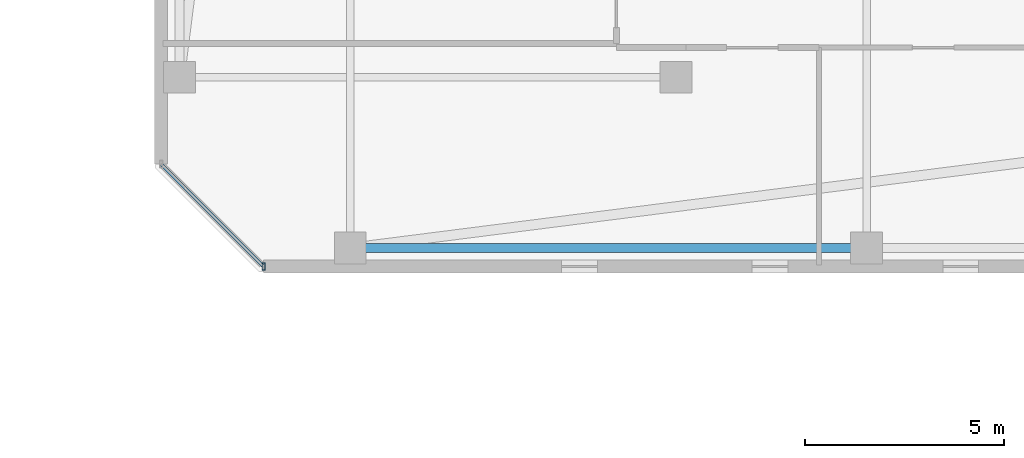
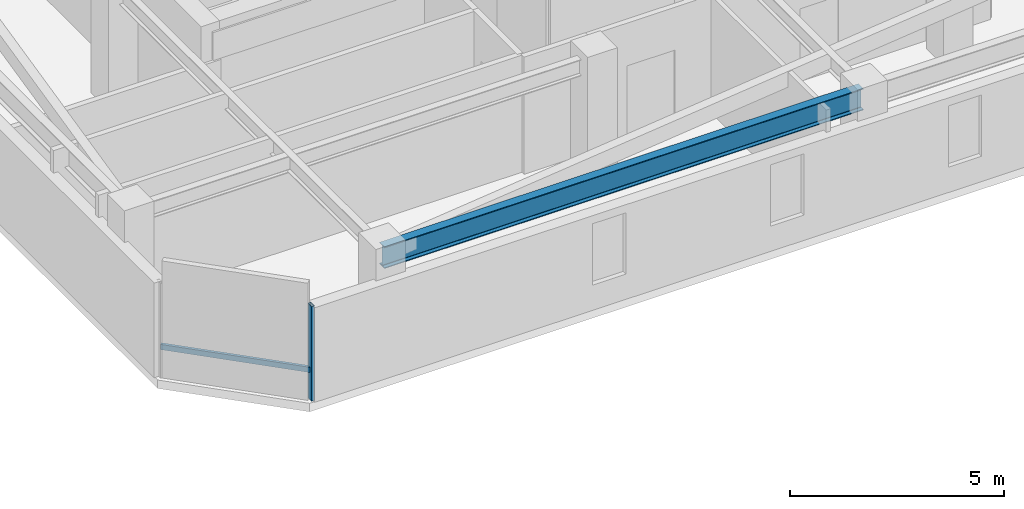
# One storey, part 14 of 35: 2 members, 1 beam, 1 element without a shape of its own.
"""IFC4 building model written with IfcOpenShell, lengths in metres."""

import ifcopenshell
import ifcopenshell.guid

model = None  # the IFC model being written
_history = None  # IfcOwnerHistory: only IFC2X3 demands one
_inside = {}  # id of a spatial element -> (the spatial element, [elements in it])
_under = {}  # id of a project, library or spatial element -> (it, [spatial elements below it])
_declared = {}  # id of a project -> (the project, [libraries it declares])
_typed = {}  # id of a type object -> (the type object, [elements of that type])
_made_of = {}  # id of a material, layer set ... -> (it, [elements and type objects made of it])


def new_model(schema):
    """Start an empty IFC model of exactly this schema.

    Asked for "IFC4X3", IfcOpenShell would pick the latest addendum, in which some entities
    have other attributes; the version numbers below select the first issue.
    IFC2X3 requires an IfcOwnerHistory on every rooted entity: one is made here for all.
    """
    global model, _history
    if schema == "IFC4X3":
        model = ifcopenshell.file(schema_version=(4, 3, 0, 0))
    else:
        model = ifcopenshell.file(schema=schema)
    _inside.clear()
    _under.clear()
    _declared.clear()
    _typed.clear()
    _made_of.clear()
    _history = None
    if model.schema == "IFC2X3":
        org = make("IfcOrganization", Name="unknown")
        user = make(
            "IfcPersonAndOrganization",
            ThePerson=make("IfcPerson", FamilyName="unknown"),
            TheOrganization=org,
        )
        app = make(
            "IfcApplication",
            ApplicationDeveloper=org,
            Version="unknown",
            ApplicationFullName="unknown",
            ApplicationIdentifier="unknown",
        )
        _history = make(
            "IfcOwnerHistory",
            OwningUser=user,
            OwningApplication=app,
            ChangeAction="ADDED",
            CreationDate=0,
        )
    return model


def make(cls, **values):
    """One entity of the class cls with the attributes given. An attribute that is None is left unset."""
    return model.create_entity(
        cls, **{name: value for name, value in values.items() if value is not None}
    )


def rooted(cls, **values):
    """An entity with a GlobalId (a new one), such as an element, a storey or a relation."""
    return make(cls, GlobalId=ifcopenshell.guid.new(), OwnerHistory=_history, **values)


def si_unit(unit_type, name, prefix=None):
    """IfcSIUnit, for example si_unit("LENGTHUNIT", "METRE", prefix="MILLI")."""
    return make("IfcSIUnit", UnitType=unit_type, Prefix=prefix, Name=name)


def assignment(units):
    """IfcUnitAssignment: the units of a project."""
    return None if units is None else make("IfcUnitAssignment", Units=units)


def point(xyz):
    """IfcCartesianPoint."""
    return None if xyz is None else make("IfcCartesianPoint", Coordinates=xyz)


def direction(xyz):
    """IfcDirection."""
    return None if xyz is None else make("IfcDirection", DirectionRatios=xyz)


def frame(location, z_axis=None, x_axis=None):
    """IfcAxis2Placement3D, a coordinate frame: its origin and axes. An axis left out is left unset."""
    return make(
        "IfcAxis2Placement3D",
        Location=point(location),
        Axis=direction(z_axis),
        RefDirection=direction(x_axis),
    )


def frame_2d(location, x_axis=None):
    """IfcAxis2Placement2D, a coordinate frame in the plane: its origin and x axis."""
    return make(
        "IfcAxis2Placement2D", Location=point(location), RefDirection=direction(x_axis)
    )


def origin():
    """The frame at (0, 0, 0) with its axes left unset."""
    return frame((0.0, 0.0, 0.0))


def origin_2d():
    """The frame at (0, 0) in the plane with its x axis left unset."""
    return frame_2d((0.0, 0.0))


def place(relative_to, where):
    """IfcLocalPlacement: puts the frame where relative to a parent placement (None: the world)."""
    return make(
        "IfcLocalPlacement", PlacementRelTo=relative_to, RelativePlacement=where
    )


def context(
    kind, dimensions, precision=None, world=None, true_north=None, identifier=None
):
    """IfcGeometricRepresentationContext, for example the 3D "Model" context."""
    return make(
        "IfcGeometricRepresentationContext",
        ContextIdentifier=identifier,
        ContextType=kind,
        CoordinateSpaceDimension=dimensions,
        Precision=precision,
        WorldCoordinateSystem=world,
        TrueNorth=true_north,
    )


def subcontext(parent, identifier, kind, view, scale=None):
    """IfcGeometricRepresentationSubContext, for example "Body" below "Model"."""
    return make(
        "IfcGeometricRepresentationSubContext",
        ContextIdentifier=identifier,
        ContextType=kind,
        ParentContext=parent,
        TargetScale=scale,
        TargetView=view,
    )


def project(units=None, contexts=None):
    """IfcProject with its units and contexts."""
    return rooted(
        "IfcProject",
        Name="project",
        RepresentationContexts=contexts,
        UnitsInContext=assignment(units),
    )


def spatial(cls, under=None, at=None, **own):
    """A site, building, storey or space (cls), placed at a placement, below another one or the project."""
    s = rooted(cls, ObjectPlacement=at, **own)
    if under is not None:
        _under.setdefault(under.id(), (under, []))[1].append(s)
    return s


def profile(cls, at=None, kind="AREA", **sizes):
    """A parametric profile (cls). Its sizes go by their IFC names, for example OverallWidth=200.0."""
    return make(cls, ProfileType=kind, Position=at, **sizes)


def hollow_rectangle(**sizes):
    """IfcRectangleHollowProfileDef."""
    return profile("IfcRectangleHollowProfileDef", **sizes)


def i_section(**sizes):
    """IfcIShapeProfileDef."""
    return profile("IfcIShapeProfileDef", **sizes)


def extrude(swept, where, along, depth):
    """IfcExtrudedAreaSolid: the profile swept, set in the frame where, extruded along a direction by depth."""
    return make(
        "IfcExtrudedAreaSolid",
        SweptArea=swept,
        Position=where,
        ExtrudedDirection=direction(along),
        Depth=depth,
    )


def shape(context_of_items, identifier, shape_type, items):
    """IfcShapeRepresentation: the items that make up one representation, for example the "Body"."""
    return make(
        "IfcShapeRepresentation",
        ContextOfItems=context_of_items,
        RepresentationIdentifier=identifier,
        RepresentationType=shape_type,
        Items=items,
    )


def material(Name=None, Category=None):
    """IfcMaterial."""
    return make("IfcMaterial", Name=Name, Category=Category)


def material_profile(
    of_material, cross_section, Name=None, Category=None, Priority=None
):
    """IfcMaterialProfile: a cross section and its material."""
    return make(
        "IfcMaterialProfile",
        Name=Name,
        Material=of_material,
        Profile=cross_section,
        Priority=Priority,
        Category=Category,
    )


def profile_set(profiles, Name=None, composite=None):
    """IfcMaterialProfileSet."""
    return make(
        "IfcMaterialProfileSet",
        Name=Name,
        MaterialProfiles=profiles,
        CompositeProfile=composite,
    )


def made_of(thing, what):
    """Note that an element or type object is made of a material, layer set ...; save() writes the relation."""
    if what is not None:
        _made_of.setdefault(what.id(), (what, []))[1].append(thing)
    return thing


def type_object(cls, material=None, **own):
    """A type object (cls), such as IfcWallType, which elements share."""
    return made_of(rooted(cls, **own), material)


def element(
    cls,
    number,
    at=None,
    inside=None,
    cuts=None,
    type_object=None,
    material=None,
    context=None,
    identifier="Body",
    shape_type=None,
    held_by="IfcProductDefinitionShape",
    body=None,
    shapes=None,
    **own,
):
    """One element of the class cls, such as IfcWall. Its Tag is "e" and its number.

    at: its placement. inside: the storey or other place that contains it. cuts: it is an
    opening in that element (IfcRelVoidsElement). A single representation is given by context,
    identifier, shape_type and body (its items); several are given by shapes. held_by: the class
    of the entity that holds the representations. save() writes the other relations.
    """
    e = rooted(cls, Tag="e%d" % number, ObjectPlacement=at, **own)
    if body is not None:
        shapes = [shape(context, identifier, shape_type, body)]
    if shapes is not None:
        e.Representation = make(held_by, Representations=shapes)
    if inside is not None:
        _inside.setdefault(inside.id(), (inside, []))[1].append(e)
    if cuts is not None:
        rooted(
            "IfcRelVoidsElement", RelatingBuildingElement=cuts, RelatedOpeningElement=e
        )
    if type_object is not None:
        _typed.setdefault(type_object.id(), (type_object, []))[1].append(e)
    return made_of(e, material)


def aggregate(whole, parts):
    """IfcRelAggregates: a whole, such as a stair, and the parts it consists of."""
    return rooted("IfcRelAggregates", RelatingObject=whole, RelatedObjects=parts)


def save(model, path):
    """Write the relations noted so far, then the file.

    IfcRelAggregates (storeys below a building ...), IfcRelContainedInSpatialStructure (elements
    in a storey), IfcRelDefinesByType, IfcRelAssociatesMaterial and IfcRelDeclares: one each for
    every whole, place, type object, material and project.
    """
    for whole, parts in _under.values():
        aggregate(whole, parts)
    for where, things in _inside.values():
        rooted(
            "IfcRelContainedInSpatialStructure",
            RelatedElements=things,
            RelatingStructure=where,
        )
    for kind, things in _typed.values():
        rooted("IfcRelDefinesByType", RelatedObjects=things, RelatingType=kind)
    for what, things in _made_of.values():
        rooted("IfcRelAssociatesMaterial", RelatedObjects=things, RelatingMaterial=what)
    for by, libraries in _declared.values():
        rooted("IfcRelDeclares", RelatingContext=by, RelatedDefinitions=libraries)
    model.write(path)


model = new_model("IFC4")

# Units and contexts
model_context = context("Model", 3, precision=1e-05, world=origin(), true_north=direction((0.0, 1.0)))
body_context = subcontext(model_context, "Body", "Model", "MODEL_VIEW")
ifc_project = project(units=[si_unit("LENGTHUNIT", "METRE"), si_unit("AREAUNIT", "SQUARE_METRE"), si_unit("VOLUMEUNIT", "CUBIC_METRE"), si_unit("PLANEANGLEUNIT", "RADIAN"), si_unit("MASSUNIT", "GRAM", prefix="KILO")], contexts=[model_context])

# Site, building, storey
site_placement = place(None, origin())
site = spatial("IfcSite", under=ifc_project, at=site_placement, CompositionType="ELEMENT")
building_placement = place(site_placement, origin())
building = spatial("IfcBuilding", under=site, at=building_placement, Name="Thornwick Lancets Civic Towers", CompositionType="ELEMENT")
storey_placement = place(building_placement, frame((0.0, 0.0, 265.5)))
storey = spatial("IfcBuildingStorey", under=building, at=storey_placement, Name="L71", CompositionType="ELEMENT", Elevation=265.5)

# Beam
ifc_material_1 = material(Name="Steel S355JR", Category="steel")
ifc_material_profile_1 = material_profile(ifc_material_1, i_section(OverallWidth=0.230224609375, OverallDepth=0.6171875, WebThickness=0.01318359375, FlangeThickness=0.022216796875, FilletRadius=0.0126953125, at=origin_2d()), Name="UKB 610x229x140")
ifc_profile_set_1 = profile_set([ifc_material_profile_1], Name="Steel S355JR")
beam_type = type_object("IfcBeamType", Name="BM_GIRD_610_140", PredefinedType="BEAM", material=ifc_profile_set_1)
beam_placement = place(storey_placement, frame((88.419921875, 9.699951171875, 3.051513671875), z_axis=(-1.0, 0.0, 0.0), x_axis=(0.0, -1.0, 0.0)))
element("IfcBeam", 1, at=beam_placement, inside=storey, type_object=beam_type, Name="BM-SPINE-L71-B-10-11", PredefinedType="BEAM", context=body_context, shape_type="SweptSolid", body=[
    extrude(i_section(OverallWidth=0.230224609375, OverallDepth=0.6171875, WebThickness=0.01318359375, FlangeThickness=0.022216796875, FilletRadius=0.0126953125, at=origin_2d()), origin(), (0.0, 0.0, 1.0), 12.919921875),
])

# Curtain wall, members
ifc_material_2 = material(Name="High-zone chamfered-corner unitised glass curtain wall", Category="glass")
curtain_wall_type = type_object("IfcCurtainWallType", Name="CW_SYS_05", PredefinedType="NOTDEFINED", material=ifc_material_2)
curtain_wall_placement = place(storey_placement, origin())
curtain_wall = element("IfcCurtainWall", 2, at=curtain_wall_placement, inside=storey, type_object=curtain_wall_type, Name="L71 Curtain Wall CW-L71-B-E7", PredefinedType="NOTDEFINED")
ifc_material_3 = material(Name="Thermally broken bronze aluminium S355", Category="steel")
ifc_material_profile_2 = material_profile(ifc_material_3, hollow_rectangle(XDim=0.074951171875, YDim=0.179931640625, WallThickness=0.006103515625, at=origin_2d()), Name="RHS 180x75x6")
ifc_profile_set_2 = profile_set([ifc_material_profile_2], Name="Thermally broken bronze aluminium S355")
member_type_1 = type_object("IfcMemberType", Name="CW_MUL_180", PredefinedType="MULLION", material=ifc_profile_set_2)
member_1_placement = place(storey_placement, frame((73.318603515625, 9.2353515625, 0.0), z_axis=(0.0, 0.0, 1.0), x_axis=(1.0, 0.0, 0.0)))
member_1 = element("IfcMember", 3, at=member_1_placement, type_object=member_type_1, Name="CW-L71-B-E7 Mullion 1", PredefinedType="MULLION", context=body_context, shape_type="SweptSolid", body=[
    extrude(hollow_rectangle(XDim=0.074951171875, YDim=0.179931640625, WallThickness=0.006103515625, at=origin_2d()), origin(), (0.0, 0.0, 1.0), 2.699951171875),
])
ifc_material_profile_3 = material_profile(ifc_material_3, hollow_rectangle(XDim=0.074951171875, YDim=0.14990234375, WallThickness=0.0048828125, at=origin_2d()), Name="RHS 150x75x5")
ifc_profile_set_3 = profile_set([ifc_material_profile_3], Name="Thermally broken bronze aluminium S355")
member_type_2 = type_object("IfcMemberType", Name="CW_TRN_150", PredefinedType="USERDEFINED", material=ifc_profile_set_3)
member_2_placement = place(storey_placement, frame((70.74951171875, 11.804443359375, 0.85009765625), z_axis=(0.707106781187, -0.707106781187, 0.0), x_axis=(0.707106781187, 0.707106781187, 0.0)))
member_2 = element("IfcMember", 4, at=member_2_placement, type_object=member_type_2, Name="CW-L71-B-E7 Transom 0", ObjectType="TRANSOM", PredefinedType="USERDEFINED", context=body_context, shape_type="SweptSolid", body=[
    extrude(hollow_rectangle(XDim=0.074951171875, YDim=0.14990234375, WallThickness=0.0048828125, at=origin_2d()), origin(), (0.0, 0.0, 1.0), 3.61328125),
])
aggregate(curtain_wall, [member_1, member_2])

save(model, "model.ifc")
